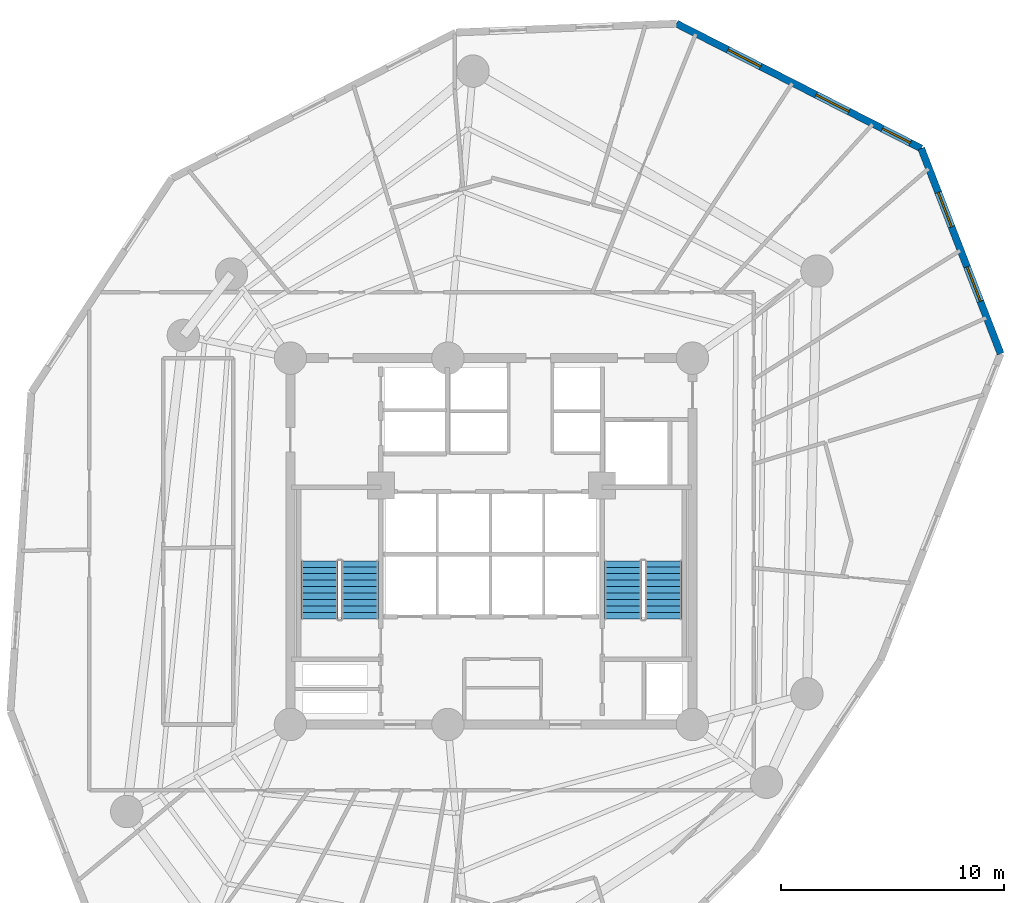
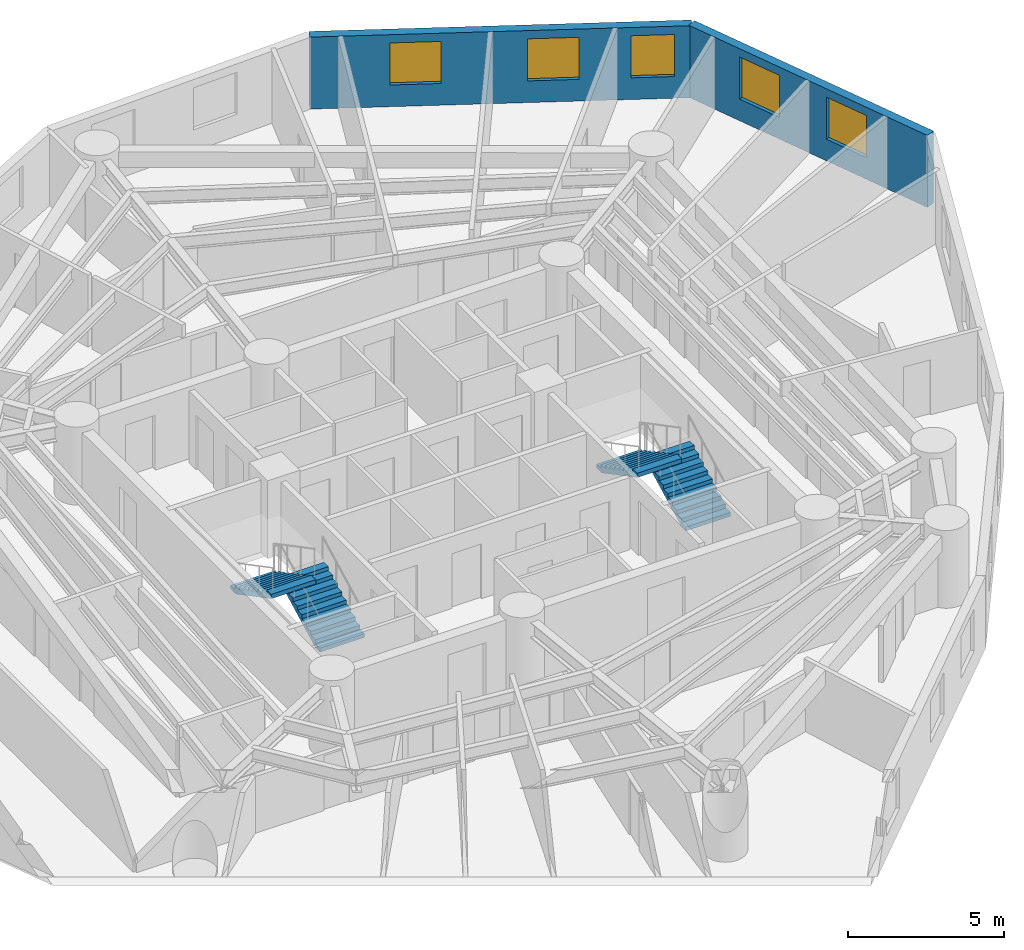
# One storey, part 7 of 8: 5 windows, 4 stair flights, 2 walls, 5 openings, 2 elements without a shape of their own.
"""IFC4 building model written with IfcOpenShell, lengths in metres."""

from ifc_helpers import new_model, si_unit, direction, frame, frame_2d, origin, origin_with_axes, place, context, subcontext, project, spatial, polyline, rectangle, outline, extrude, source, transform, mapped, material, layer, layer_set, type_object, element, fill, aggregate, save


model = new_model("IFC4")

# Units and contexts
model_context = context("Model", 3, precision=1e-05, world=origin(), true_north=direction((0.0, 1.0)))
body_context = subcontext(model_context, "Body", "Model", "MODEL_VIEW")
ifc_project = project(units=[si_unit("LENGTHUNIT", "METRE"), si_unit("AREAUNIT", "SQUARE_METRE"), si_unit("VOLUMEUNIT", "CUBIC_METRE"), si_unit("PLANEANGLEUNIT", "RADIAN"), si_unit("MASSUNIT", "GRAM", prefix="KILO")], contexts=[model_context])

# Site, building, storey
site_placement = place(None, origin())
site = spatial("IfcSite", under=ifc_project, at=site_placement, CompositionType="ELEMENT")
building_placement = place(site_placement, origin())
building = spatial("IfcBuilding", under=site, at=building_placement, Name="Karkom Vertical University and Central Library", CompositionType="ELEMENT")
storey_placement = place(building_placement, frame((0.0, 0.0, 105.35009765625)))
storey = spatial("IfcBuildingStorey", under=building, at=storey_placement, Name="L28", CompositionType="ELEMENT", Elevation=105.35009765625)

# Wall, openings, windows
ifc_material_1 = material(Name="Brick-faced precast concrete C45/55", Category="masonry")
ifc_layer = layer(ifc_material_1, 0.320068359375)
ifc_layer_set = layer_set([ifc_layer], Name="Brick-faced precast concrete C45/55")
wall_type = type_object("IfcWallType", Name="ENV-WL-BRK-320", PredefinedType="SOLIDWALL", material=ifc_layer_set)
wall_1_placement = place(storey_placement, frame((51.29638671875, 34.89892578125, 0.0), z_axis=(0.0, 0.0, 1.0), x_axis=(-0.360827329773, 0.932632638336, 0.0)))
wall_1 = element("IfcWall", 1, at=wall_1_placement, inside=storey, type_object=wall_type, Name="Level 28 Brick-Faced Precast Facade Wall 09", PredefinedType="SOLIDWALL", context=body_context, shape_type="SweptSolid", body=[
    extrude(rectangle(XDim=9.85693359375, YDim=0.320068359375, at=frame_2d((4.928466796875, 0.0))), origin(), (0.0, 0.0, 1.0), 2.824951171875),
])
opening_1_placement = place(wall_1_placement, frame((2.517333984375, 0.0, 0.85009765625)))
opening_1 = element("IfcOpeningElement", 2, at=opening_1_placement, cuts=wall_1, Name="Opening WN-06", PredefinedType="OPENING", context=body_context, shape_type="SweptSolid", body=[
    extrude(rectangle(XDim=1.64990234375, YDim=1.64990234375, at=frame_2d((0.824951171875, 0.824951171875))), frame((0.0, 0.169921875, 0.0), z_axis=(0.0, -1.0, 0.0), x_axis=(1.0, 0.0, 0.0)), (0.0, 0.0, 1.0), 0.340087890625),
])
opening_2_placement = place(wall_1_placement, frame((6.091064453125, 0.0, 0.85009765625)))
opening_2 = element("IfcOpeningElement", 3, at=opening_2_placement, cuts=wall_1, Name="Opening WN-06", PredefinedType="OPENING", context=body_context, shape_type="SweptSolid", body=[
    extrude(rectangle(XDim=1.64990234375, YDim=1.64990234375, at=frame_2d((0.824951171875, 0.824951171875))), frame((0.0, 0.169921875, 0.0), z_axis=(0.0, -1.0, 0.0), x_axis=(1.0, 0.0, 0.0)), (0.0, 0.0, 1.0), 0.340087890625),
])
ifc_material_2 = material(Name="Aluminium thermal-break frame with solar-control IGU", Category="aluminium")
window_type_1 = type_object("IfcWindowType", Name="ENV-WIN-WN-06", PartitioningType="SINGLE_PANEL", PredefinedType="WINDOW", material=ifc_material_2)
shared_shape_1 = source(origin_with_axes(), body_context, "Body", "SweptSolid", [
    extrude(rectangle(XDim=1.64990234375, YDim=1.64990234375, at=frame_2d((0.824951171875, 0.824951171875))), frame((0.0, 0.030029296875, 0.0), z_axis=(0.0, -1.0, 0.0), x_axis=(1.0, 0.0, 0.0)), (0.0, 0.0, 1.0), 0.06005859375),
])
window_1_placement = place(opening_1_placement, origin())
window_1 = element("IfcWindow", 4, at=window_1_placement, inside=storey, type_object=window_type_1, Name="Level 28 Punched Window 9.1", OverallHeight=1.64990234375, OverallWidth=1.64990234375, PartitioningType="SINGLE_PANEL", PredefinedType="WINDOW", context=body_context, shape_type="MappedRepresentation", body=[
    mapped(shared_shape_1, transform((0.0, 0.0, 0.0), scale=1.0)),
])
fill(opening_1, window_1)
window_2_placement = place(opening_2_placement, origin())
window_2 = element("IfcWindow", 5, at=window_2_placement, inside=storey, type_object=window_type_1, Name="Level 28 Punched Window 9.2", OverallHeight=1.64990234375, OverallWidth=1.64990234375, PartitioningType="SINGLE_PANEL", PredefinedType="WINDOW", context=body_context, shape_type="MappedRepresentation", body=[
    mapped(shared_shape_1, transform((0.0, 0.0, 0.0), scale=1.0)),
])
fill(opening_2, window_2)

wall_2_placement = place(storey_placement, frame((47.73974609375, 44.091796875, 0.0), z_axis=(0.0, 0.0, 1.0), x_axis=(-0.890845819917, 0.454305761725, 0.0)))
wall_2 = element("IfcWall", 6, at=wall_2_placement, inside=storey, type_object=wall_type, Name="Level 28 Brick-Faced Precast Facade Wall 10", PredefinedType="SOLIDWALL", context=body_context, shape_type="SweptSolid", body=[
    extrude(rectangle(XDim=12.29931640625, YDim=0.320068359375, at=frame_2d((6.149658203125, 0.0))), origin(), (0.0, 0.0, 1.0), 2.824951171875),
])
opening_3_placement = place(wall_2_placement, frame((0.54931640625, 0.0, 0.85009765625)))
opening_3 = element("IfcOpeningElement", 7, at=opening_3_placement, cuts=wall_2, Name="Opening WN-07", PredefinedType="OPENING", context=body_context, shape_type="SweptSolid", body=[
    extrude(rectangle(XDim=1.39990234375, YDim=1.64990234375, at=frame_2d((0.699951171875, 0.824951171875))), frame((0.0, 0.169921875, 0.0), z_axis=(0.0, -1.0, 0.0), x_axis=(1.0, 0.0, 0.0)), (0.0, 0.0, 1.0), 0.340087890625),
])
opening_4_placement = place(wall_2_placement, frame((3.630126953125, 0.0, 0.85009765625)))
opening_4 = element("IfcOpeningElement", 8, at=opening_4_placement, cuts=wall_2, Name="Opening WN-06", PredefinedType="OPENING", context=body_context, shape_type="SweptSolid", body=[
    extrude(rectangle(XDim=1.64990234375, YDim=1.64990234375, at=frame_2d((0.824951171875, 0.824951171875))), frame((0.0, 0.169921875, 0.0), z_axis=(0.0, -1.0, 0.0), x_axis=(1.0, 0.0, 0.0)), (0.0, 0.0, 1.0), 0.340087890625),
])
opening_5_placement = place(wall_2_placement, frame((8.068115234375, 0.0, 0.85009765625)))
opening_5 = element("IfcOpeningElement", 9, at=opening_5_placement, cuts=wall_2, Name="Opening WN-06", PredefinedType="OPENING", context=body_context, shape_type="SweptSolid", body=[
    extrude(rectangle(XDim=1.64990234375, YDim=1.64990234375, at=frame_2d((0.824951171875, 0.824951171875))), frame((0.0, 0.169921875, 0.0), z_axis=(0.0, -1.0, 0.0), x_axis=(1.0, 0.0, 0.0)), (0.0, 0.0, 1.0), 0.340087890625),
])
window_3_placement = place(opening_4_placement, origin())
window_3 = element("IfcWindow", 10, at=window_3_placement, inside=storey, type_object=window_type_1, Name="Level 28 Punched Window 10.2", OverallHeight=1.64990234375, OverallWidth=1.64990234375, PartitioningType="SINGLE_PANEL", PredefinedType="WINDOW", context=body_context, shape_type="MappedRepresentation", body=[
    mapped(shared_shape_1, transform((0.0, 0.0, 0.0), scale=1.0)),
])
fill(opening_4, window_3)
window_4_placement = place(opening_5_placement, origin())
window_4 = element("IfcWindow", 11, at=window_4_placement, inside=storey, type_object=window_type_1, Name="Level 28 Punched Window 10.3", OverallHeight=1.64990234375, OverallWidth=1.64990234375, PartitioningType="SINGLE_PANEL", PredefinedType="WINDOW", context=body_context, shape_type="MappedRepresentation", body=[
    mapped(shared_shape_1, transform((0.0, 0.0, 0.0), scale=1.0)),
])
fill(opening_5, window_4)
window_type_2 = type_object("IfcWindowType", Name="ENV-WIN-WN-07", PartitioningType="SINGLE_PANEL", PredefinedType="WINDOW", material=ifc_material_2)
shared_shape_2 = source(origin_with_axes(), body_context, "Body", "SweptSolid", [
    extrude(rectangle(XDim=1.39990234375, YDim=1.64990234375, at=frame_2d((0.699951171875, 0.824951171875))), frame((0.0, 0.030029296875, 0.0), z_axis=(0.0, -1.0, 0.0), x_axis=(1.0, 0.0, 0.0)), (0.0, 0.0, 1.0), 0.06005859375),
])
window_5_placement = place(opening_3_placement, origin())
window_5 = element("IfcWindow", 12, at=window_5_placement, inside=storey, type_object=window_type_2, Name="Level 28 Punched Window 10.1", OverallHeight=1.64990234375, OverallWidth=1.39990234375, PartitioningType="SINGLE_PANEL", PredefinedType="WINDOW", context=body_context, shape_type="MappedRepresentation", body=[
    mapped(shared_shape_2, transform((0.0, 0.0, 0.0), scale=1.0)),
])
fill(opening_3, window_5)

# Stair, stair flights
ifc_material_3 = material(Name="Concrete C45/55", Category="concrete")
stair_type = type_object("IfcStairType", Name="INT-STR-ST-MAIN", PredefinedType="HALF_TURN_STAIR", material=ifc_material_3)
stair_1_placement = place(storey_placement, origin())
stair_1 = element("IfcStair", 13, at=stair_1_placement, inside=storey, type_object=stair_type, Name="Level 28 Tower Protected Exit Stair ST-1", PredefinedType="HALF_TURN_STAIR")
stair_flight_type = type_object("IfcStairFlightType", Name="INT-SFL-ST-MAIN", PredefinedType="STRAIGHT", material=ifc_material_3)
stair_flight_1_placement = place(storey_placement, frame((22.614990234375, 23.02001953125, 0.0), z_axis=(0.0, 0.0, 1.0), x_axis=(0.0, 1.0, 0.0)))
stair_flight_1 = element("IfcStairFlight", 14, at=stair_flight_1_placement, type_object=stair_flight_type, Name="ST-1 flight 1", NumberOfRisers=10, NumberOfTreads=9, PredefinedType="STRAIGHT", RiserHeight=0.1525, TreadLength=0.29, context=body_context, shape_type="SweptSolid", body=[
    extrude(outline(polyline([(0.0, 0.0), (0.0, 0.152587890625), (0.2900390625, 0.152587890625), (0.2900390625, 0.304931640625), (0.580078125, 0.304931640625), (0.580078125, 0.45751953125), (0.8701171875, 0.45751953125), (0.8701171875, 0.610107421875), (1.159912109375, 0.610107421875), (1.159912109375, 0.762451171875), (1.449951171875, 0.762451171875), (1.449951171875, 0.9150390625), (1.739990234375, 0.9150390625), (1.739990234375, 1.0673828125), (2.030029296875, 1.0673828125), (2.030029296875, 1.219970703125), (2.320068359375, 1.219970703125), (2.320068359375, 1.37255859375), (2.610107421875, 1.37255859375), (2.610107421875, 1.52490234375), (2.610107421875, 1.203125), (0.322021484375, 0.0), (0.0, 0.0)])), frame((0.0, 0.824951171875, 0.0), z_axis=(0.0, -1.0, 0.0), x_axis=(1.0, 0.0, 0.0)), (0.0, 0.0, 1.0), 1.64990234375),
])
stair_flight_2_placement = place(storey_placement, frame((20.804931640625, 25.6298828125, 1.52490234375), z_axis=(0.0, 0.0, 1.0), x_axis=(0.0, -1.0, 0.0)))
stair_flight_2 = element("IfcStairFlight", 15, at=stair_flight_2_placement, type_object=stair_flight_type, Name="ST-1 flight 2", NumberOfRisers=10, NumberOfTreads=9, PredefinedType="STRAIGHT", RiserHeight=0.1525, TreadLength=0.29, context=body_context, shape_type="SweptSolid", body=[
    extrude(outline(polyline([(0.0, 0.0), (0.0, 0.152587890625), (0.2900390625, 0.152587890625), (0.2900390625, 0.304931640625), (0.580078125, 0.304931640625), (0.580078125, 0.45751953125), (0.8701171875, 0.45751953125), (0.8701171875, 0.610107421875), (1.159912109375, 0.610107421875), (1.159912109375, 0.762451171875), (1.449951171875, 0.762451171875), (1.449951171875, 0.9150390625), (1.739990234375, 0.9150390625), (1.739990234375, 1.0673828125), (2.030029296875, 1.0673828125), (2.030029296875, 1.219970703125), (2.320068359375, 1.219970703125), (2.320068359375, 1.37255859375), (2.610107421875, 1.37255859375), (2.610107421875, 1.52490234375), (2.610107421875, 1.203125), (0.322021484375, 0.0), (0.0, 0.0)])), frame((0.0, 0.824951171875, 0.0), z_axis=(0.0, -1.0, 0.0), x_axis=(1.0, 0.0, 0.0)), (0.0, 0.0, 1.0), 1.64990234375),
])
aggregate(stair_1, [stair_flight_1, stair_flight_2])

stair_2_placement = place(storey_placement, origin())
stair_2 = element("IfcStair", 16, at=stair_2_placement, inside=storey, type_object=stair_type, Name="Level 28 Tower Protected Exit Stair ST-2", PredefinedType="HALF_TURN_STAIR")
stair_flight_3_placement = place(storey_placement, frame((36.195068359375, 23.02001953125, 0.0), z_axis=(0.0, 0.0, 1.0), x_axis=(0.0, 1.0, 0.0)))
stair_flight_3 = element("IfcStairFlight", 17, at=stair_flight_3_placement, type_object=stair_flight_type, Name="ST-2 flight 1", NumberOfRisers=10, NumberOfTreads=9, PredefinedType="STRAIGHT", RiserHeight=0.1525, TreadLength=0.29, context=body_context, shape_type="SweptSolid", body=[
    extrude(outline(polyline([(0.0, 0.0), (0.0, 0.152587890625), (0.2900390625, 0.152587890625), (0.2900390625, 0.304931640625), (0.580078125, 0.304931640625), (0.580078125, 0.45751953125), (0.8701171875, 0.45751953125), (0.8701171875, 0.610107421875), (1.159912109375, 0.610107421875), (1.159912109375, 0.762451171875), (1.449951171875, 0.762451171875), (1.449951171875, 0.9150390625), (1.739990234375, 0.9150390625), (1.739990234375, 1.0673828125), (2.030029296875, 1.0673828125), (2.030029296875, 1.219970703125), (2.320068359375, 1.219970703125), (2.320068359375, 1.37255859375), (2.610107421875, 1.37255859375), (2.610107421875, 1.52490234375), (2.610107421875, 1.203125), (0.322021484375, 0.0), (0.0, 0.0)])), frame((0.0, 0.824951171875, 0.0), z_axis=(0.0, -1.0, 0.0), x_axis=(1.0, 0.0, 0.0)), (0.0, 0.0, 1.0), 1.64990234375),
])
stair_flight_4_placement = place(storey_placement, frame((34.385009765625, 25.6298828125, 1.52490234375), z_axis=(0.0, 0.0, 1.0), x_axis=(0.0, -1.0, 0.0)))
stair_flight_4 = element("IfcStairFlight", 18, at=stair_flight_4_placement, type_object=stair_flight_type, Name="ST-2 flight 2", NumberOfRisers=10, NumberOfTreads=9, PredefinedType="STRAIGHT", RiserHeight=0.1525, TreadLength=0.29, context=body_context, shape_type="SweptSolid", body=[
    extrude(outline(polyline([(0.0, 0.0), (0.0, 0.152587890625), (0.2900390625, 0.152587890625), (0.2900390625, 0.304931640625), (0.580078125, 0.304931640625), (0.580078125, 0.45751953125), (0.8701171875, 0.45751953125), (0.8701171875, 0.610107421875), (1.159912109375, 0.610107421875), (1.159912109375, 0.762451171875), (1.449951171875, 0.762451171875), (1.449951171875, 0.9150390625), (1.739990234375, 0.9150390625), (1.739990234375, 1.0673828125), (2.030029296875, 1.0673828125), (2.030029296875, 1.219970703125), (2.320068359375, 1.219970703125), (2.320068359375, 1.37255859375), (2.610107421875, 1.37255859375), (2.610107421875, 1.52490234375), (2.610107421875, 1.203125), (0.322021484375, 0.0), (0.0, 0.0)])), frame((0.0, 0.824951171875, 0.0), z_axis=(0.0, -1.0, 0.0), x_axis=(1.0, 0.0, 0.0)), (0.0, 0.0, 1.0), 1.64990234375),
])
aggregate(stair_2, [stair_flight_3, stair_flight_4])

save(model, "model.ifc")
